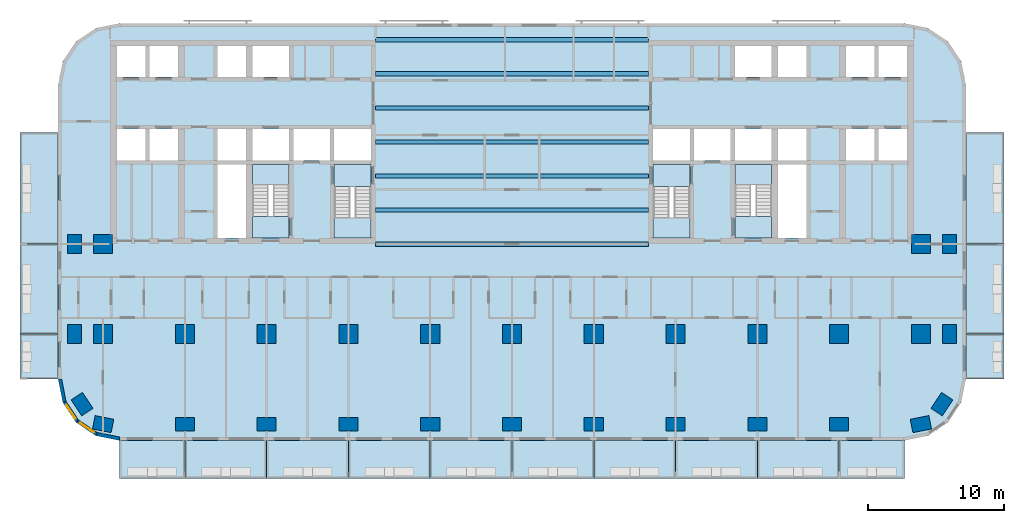
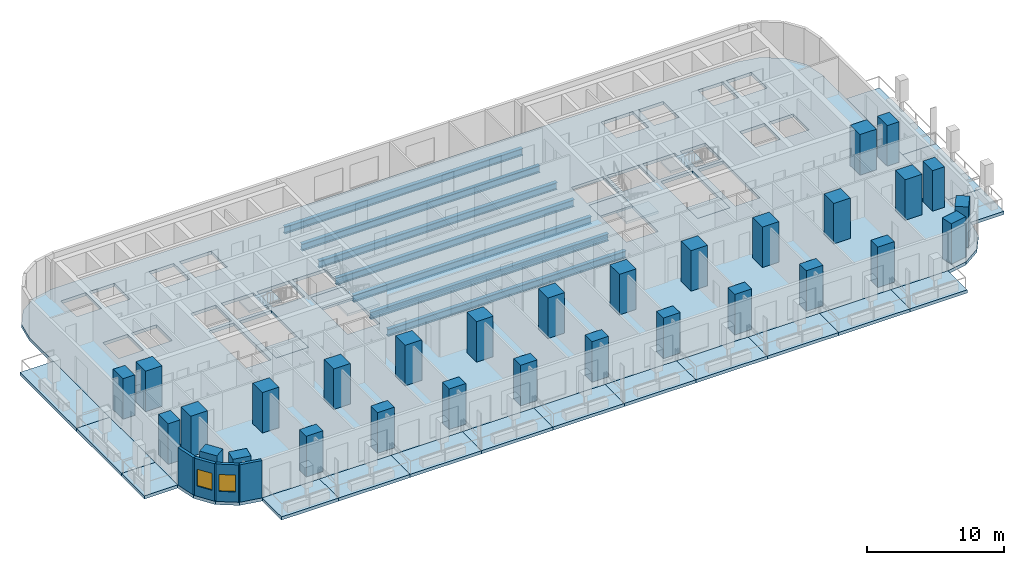
# One storey, part 1 of 15: 30 columns, 25 slabs, 7 beams, 4 walls, 2 windows, 2 openings, 4 elements without a shape of their own.
"""IFC4 building model written with IfcOpenShell, lengths in metres."""

from ifc_helpers import new_model, si_unit, direction, frame, frame_2d, origin, origin_2d, place, context, subcontext, project, spatial, polyline, rectangle, i_section, outline, extrude, material, layer, layer_set, material_profile, profile_set, type_object, element, fill, aggregate, save


model = new_model("IFC4")

# Units and contexts
model_context = context("Model", 3, precision=1e-05, world=origin(), true_north=direction((0.0, 1.0)))
body_context = subcontext(model_context, "Body", "Model", "MODEL_VIEW")
ifc_project = project(units=[si_unit("LENGTHUNIT", "METRE"), si_unit("AREAUNIT", "SQUARE_METRE"), si_unit("VOLUMEUNIT", "CUBIC_METRE"), si_unit("PLANEANGLEUNIT", "RADIAN"), si_unit("MASSUNIT", "GRAM", prefix="KILO")], contexts=[model_context])

# Site, building, storey
site_placement = place(None, origin())
site = spatial("IfcSite", under=ifc_project, at=site_placement, CompositionType="ELEMENT")
building_placement = place(site_placement, origin())
building = spatial("IfcBuilding", under=site, at=building_placement, Name="Torana Hotel and Residences", CompositionType="ELEMENT")
storey_placement = place(building_placement, frame((0.0, 0.0, 49.199951171875)))
storey = spatial("IfcBuildingStorey", under=building, at=storey_placement, Name="L11", CompositionType="ELEMENT", Elevation=49.199951171875)

# Columns
ifc_material_1 = material(Name="Concrete C70/85", Category="concrete")
ifc_material_profile_1 = material_profile(ifc_material_1, rectangle(XDim=1.39990234375, YDim=1.0, at=origin_2d()), Name="RC 1400x1000")
ifc_profile_set_1 = profile_set([ifc_material_profile_1], Name="Concrete C70/85")
column_type_1 = type_object("IfcColumnType", Name="COLUMN RC 1400x1000 C70/85", PredefinedType="COLUMN", material=ifc_profile_set_1)
for number, where, z_axis, x_axis, name in (
    (1, (-32.10009765625, -21.60009765625, 0.0), (0.0, 0.0, 1.0), (0.0, 1.0, 0.0), "Column L11"),
    (2, (-32.10009765625, -15.0, 0.0), (0.0, 0.0, 1.0), (0.0, 1.0, 0.0), "Column L11"),
    (3, (-31.5439453125, -26.73291015625, 0.0), (0.0, 0.0, 1.0), (-0.555584744817, 0.831459915646, 0.0), "Column L11"),
    (4, (-30.0, -28.199951171875, 0.0), (0.0, 0.0, 1.0), (-0.980792089743, 0.195056086032, 0.0), "Column L11"),
    (5, (-24.0, -28.199951171875, 0.0), (0.0, 0.0, 1.0), (1.0, 0.0, 0.0), "Column L11"),
    (6, (-18.0, -28.199951171875, 0.0), (0.0, 0.0, 1.0), (1.0, 0.0, 0.0), "Column L11"),
    (7, (-12.0, -28.199951171875, 0.0), (0.0, 0.0, 1.0), (1.0, 0.0, 0.0), "Column L11"),
    (8, (-6.0, -28.199951171875, 0.0), (0.0, 0.0, 1.0), (1.0, 0.0, 0.0), "Column L11"),
    (9, (0.0, -28.199951171875, 0.0), (0.0, 0.0, 1.0), (1.0, 0.0, 0.0), "Column L11"),
    (10, (6.0, -28.199951171875, 0.0), (0.0, 0.0, 1.0), (1.0, 0.0, 0.0), "Column L11"),
    (11, (12.0, -28.199951171875, 0.0), (0.0, 0.0, 1.0), (1.0, 0.0, 0.0), "Column L11"),
    (12, (18.0, -28.199951171875, 0.0), (0.0, 0.0, 1.0), (1.0, 0.0, 0.0), "Column L11"),
    (13, (24.0, -28.199951171875, 0.0), (0.0, 0.0, 1.0), (1.0, 0.0, 0.0), "Column L11"),
    (14, (30.0, -28.199951171875, 0.0), (0.0, 0.0, 1.0), (0.980792089743, 0.195056086032, 0.0), "Column L11"),
    (15, (31.5439453125, -26.73291015625, 0.0), (0.0, 0.0, 1.0), (0.555584744817, 0.831459915646, 0.0), "Column L11"),
    (16, (32.10009765625, -21.60009765625, 0.0), (0.0, 0.0, 1.0), (0.0, 1.0, 0.0), "Column L11"),
    (17, (32.10009765625, -15.0, 0.0), (0.0, 0.0, 1.0), (0.0, 1.0, 0.0), "Column L11"),
):
    element("IfcColumn", number, at=place(storey_placement, frame(where, z_axis=z_axis, x_axis=x_axis)), inside=storey, type_object=column_type_1, Name=name, PredefinedType="COLUMN", context=body_context, shape_type="SweptSolid", body=[
        extrude(rectangle(XDim=1.39990234375, YDim=1.0, at=origin_2d()), origin(), (0.0, 0.0, 1.0), 3.60009765625),
    ])
ifc_material_2 = material(Name="Concrete C70/85", Category="concrete")
ifc_material_profile_2 = material_profile(ifc_material_2, rectangle(XDim=1.39990234375, YDim=1.39990234375, at=origin_2d()), Name="RC 1400x1400")
ifc_profile_set_2 = profile_set([ifc_material_profile_2], Name="Concrete C70/85")
column_type_2 = type_object("IfcColumnType", Name="COLUMN RC 1400x1400 C70/85", PredefinedType="COLUMN", material=ifc_profile_set_2)
for number, where, z_axis, x_axis, name in (
    (18, (-30.0, -21.60009765625, 0.0), (0.0, 0.0, 1.0), (1.0, 0.0, 0.0), "Column L11"),
    (19, (-30.0, -15.0, 0.0), (0.0, 0.0, 1.0), (1.0, 0.0, 0.0), "Column L11"),
    (20, (-24.0, -21.60009765625, 0.0), (0.0, 0.0, 1.0), (1.0, 0.0, 0.0), "Column L11"),
    (21, (-18.0, -21.60009765625, 0.0), (0.0, 0.0, 1.0), (1.0, 0.0, 0.0), "Column L11"),
    (22, (-12.0, -21.60009765625, 0.0), (0.0, 0.0, 1.0), (1.0, 0.0, 0.0), "Column L11"),
    (23, (-6.0, -21.60009765625, 0.0), (0.0, 0.0, 1.0), (1.0, 0.0, 0.0), "Column L11"),
    (24, (0.0, -21.60009765625, 0.0), (0.0, 0.0, 1.0), (1.0, 0.0, 0.0), "Column L11"),
    (25, (6.0, -21.60009765625, 0.0), (0.0, 0.0, 1.0), (1.0, 0.0, 0.0), "Column L11"),
    (26, (12.0, -21.60009765625, 0.0), (0.0, 0.0, 1.0), (1.0, 0.0, 0.0), "Column L11"),
    (27, (18.0, -21.60009765625, 0.0), (0.0, 0.0, 1.0), (1.0, 0.0, 0.0), "Column L11"),
    (28, (24.0, -21.60009765625, 0.0), (0.0, 0.0, 1.0), (1.0, 0.0, 0.0), "Column L11"),
    (29, (30.0, -21.60009765625, 0.0), (0.0, 0.0, 1.0), (1.0, 0.0, 0.0), "Column L11"),
    (30, (30.0, -15.0, 0.0), (0.0, 0.0, 1.0), (1.0, 0.0, 0.0), "Column L11"),
):
    element("IfcColumn", number, at=place(storey_placement, frame(where, z_axis=z_axis, x_axis=x_axis)), inside=storey, type_object=column_type_2, Name=name, PredefinedType="COLUMN", context=body_context, shape_type="SweptSolid", body=[
        extrude(rectangle(XDim=1.39990234375, YDim=1.39990234375, at=origin_2d()), origin(), (0.0, 0.0, 1.0), 3.60009765625),
    ])

# Beams
ifc_material_3 = material(Name="Steel S355", Category="steel")
ifc_material_profile_3 = material_profile(ifc_material_3, i_section(OverallWidth=0.311279296875, OverallDepth=0.6357421875, WebThickness=0.018310546875, FlangeThickness=0.031494140625, FilletRadius=0.0166015625, at=origin_2d()), Name="610x305x238 UB")
ifc_profile_set_3 = profile_set([ifc_material_profile_3], Name="Steel S355")
beam_type = type_object("IfcBeamType", Name="STEEL GIRDER 610x305x238 UB", PredefinedType="BEAM", material=ifc_profile_set_3)
for number, where, z_axis, x_axis, name in (
    (31, (-10.0, -15.0, -0.597900390625), (1.0, 0.0, 0.0), (0.0, 1.0, 0.0), "Floor girder"),
    (32, (-10.0, -12.5, -0.597900390625), (1.0, 0.0, 0.0), (0.0, 1.0, 0.0), "Floor girder"),
    (33, (-10.0, -10.0, -0.597900390625), (1.0, 0.0, 0.0), (0.0, 1.0, 0.0), "Floor girder"),
    (34, (-10.0, -7.5, -0.597900390625), (1.0, 0.0, 0.0), (0.0, 1.0, 0.0), "Floor girder"),
    (35, (-10.0, -5.0, -0.597900390625), (1.0, 0.0, 0.0), (0.0, 1.0, 0.0), "Floor girder"),
    (36, (-10.0, -2.5, -0.597900390625), (1.0, 0.0, 0.0), (0.0, 1.0, 0.0), "Floor girder"),
    (37, (-10.0, 0.0, -0.597900390625), (1.0, 0.0, 0.0), (0.0, 1.0, 0.0), "Floor girder"),
):
    element("IfcBeam", number, at=place(storey_placement, frame(where, z_axis=z_axis, x_axis=x_axis)), inside=storey, type_object=beam_type, Name=name, PredefinedType="BEAM", context=body_context, shape_type="SweptSolid", body=[
        extrude(i_section(OverallWidth=0.311279296875, OverallDepth=0.6357421875, WebThickness=0.018310546875, FlangeThickness=0.031494140625, FilletRadius=0.0166015625, at=origin_2d()), origin(), (0.0, 0.0, 1.0), 20.0),
    ])

# Slabs
ifc_material_4 = material(Name="Concrete C40/50", Category="concrete")
ifc_layer_1 = layer(ifc_material_4, 0.280029296875)
ifc_layer_set_1 = layer_set([ifc_layer_1], Name="BAL1 BALCONY SLAB 280")
slab_type_1 = type_object("IfcSlabType", Name="BAL1 BALCONY SLAB 280", PredefinedType="USERDEFINED", material=ifc_layer_set_1)
slab_1_placement = place(storey_placement, frame((0.0, 0.0, -0.280029296875)))
element("IfcSlab", 38, at=slab_1_placement, inside=storey, type_object=slab_type_1, Name="Balcony 01", ObjectType="BALCONY", PredefinedType="USERDEFINED", context=body_context, shape_type="SweptSolid", body=[
    extrude(outline(polyline([(-28.800048828125, -32.199951171875), (-24.0, -32.199951171875), (-24.0, -29.39990234375), (-28.800048828125, -29.39990234375), (-28.800048828125, -32.199951171875)])), origin(), (0.0, 0.0, 1.0), 0.280029296875),
])
slab_2_placement = place(storey_placement, frame((0.0, 0.0, -0.280029296875)))
element("IfcSlab", 39, at=slab_2_placement, inside=storey, type_object=slab_type_1, Name="Balcony 02", ObjectType="BALCONY", PredefinedType="USERDEFINED", context=body_context, shape_type="SweptSolid", body=[
    extrude(outline(polyline([(-24.0, -32.199951171875), (-18.0, -32.199951171875), (-18.0, -29.39990234375), (-24.0, -29.39990234375), (-24.0, -32.199951171875)])), origin(), (0.0, 0.0, 1.0), 0.280029296875),
])
slab_3_placement = place(storey_placement, frame((0.0, 0.0, -0.280029296875)))
element("IfcSlab", 40, at=slab_3_placement, inside=storey, type_object=slab_type_1, Name="Balcony 03", ObjectType="BALCONY", PredefinedType="USERDEFINED", context=body_context, shape_type="SweptSolid", body=[
    extrude(outline(polyline([(-18.0, -32.199951171875), (-12.0, -32.199951171875), (-12.0, -29.39990234375), (-18.0, -29.39990234375), (-18.0, -32.199951171875)])), origin(), (0.0, 0.0, 1.0), 0.280029296875),
])
slab_4_placement = place(storey_placement, frame((0.0, 0.0, -0.280029296875)))
element("IfcSlab", 41, at=slab_4_placement, inside=storey, type_object=slab_type_1, Name="Balcony 04", ObjectType="BALCONY", PredefinedType="USERDEFINED", context=body_context, shape_type="SweptSolid", body=[
    extrude(outline(polyline([(-12.0, -32.199951171875), (-6.0, -32.199951171875), (-6.0, -29.39990234375), (-12.0, -29.39990234375), (-12.0, -32.199951171875)])), origin(), (0.0, 0.0, 1.0), 0.280029296875),
])
slab_5_placement = place(storey_placement, frame((0.0, 0.0, -0.280029296875)))
element("IfcSlab", 42, at=slab_5_placement, inside=storey, type_object=slab_type_1, Name="Balcony 05", ObjectType="BALCONY", PredefinedType="USERDEFINED", context=body_context, shape_type="SweptSolid", body=[
    extrude(outline(polyline([(-6.0, -32.199951171875), (0.0, -32.199951171875), (0.0, -29.39990234375), (-6.0, -29.39990234375), (-6.0, -32.199951171875)])), origin(), (0.0, 0.0, 1.0), 0.280029296875),
])
slab_6_placement = place(storey_placement, frame((0.0, 0.0, -0.280029296875)))
element("IfcSlab", 43, at=slab_6_placement, inside=storey, type_object=slab_type_1, Name="Balcony 06", ObjectType="BALCONY", PredefinedType="USERDEFINED", context=body_context, shape_type="SweptSolid", body=[
    extrude(outline(polyline([(0.0, -32.199951171875), (6.0, -32.199951171875), (6.0, -29.39990234375), (0.0, -29.39990234375), (0.0, -32.199951171875)])), origin(), (0.0, 0.0, 1.0), 0.280029296875),
])
slab_7_placement = place(storey_placement, frame((0.0, 0.0, -0.280029296875)))
element("IfcSlab", 44, at=slab_7_placement, inside=storey, type_object=slab_type_1, Name="Balcony 07", ObjectType="BALCONY", PredefinedType="USERDEFINED", context=body_context, shape_type="SweptSolid", body=[
    extrude(outline(polyline([(6.0, -32.199951171875), (12.0, -32.199951171875), (12.0, -29.39990234375), (6.0, -29.39990234375), (6.0, -32.199951171875)])), origin(), (0.0, 0.0, 1.0), 0.280029296875),
])
slab_8_placement = place(storey_placement, frame((0.0, 0.0, -0.280029296875)))
element("IfcSlab", 45, at=slab_8_placement, inside=storey, type_object=slab_type_1, Name="Balcony 08", ObjectType="BALCONY", PredefinedType="USERDEFINED", context=body_context, shape_type="SweptSolid", body=[
    extrude(outline(polyline([(12.0, -32.199951171875), (18.0, -32.199951171875), (18.0, -29.39990234375), (12.0, -29.39990234375), (12.0, -32.199951171875)])), origin(), (0.0, 0.0, 1.0), 0.280029296875),
])
slab_9_placement = place(storey_placement, frame((0.0, 0.0, -0.280029296875)))
element("IfcSlab", 46, at=slab_9_placement, inside=storey, type_object=slab_type_1, Name="Balcony 09", ObjectType="BALCONY", PredefinedType="USERDEFINED", context=body_context, shape_type="SweptSolid", body=[
    extrude(outline(polyline([(18.0, -32.199951171875), (24.0, -32.199951171875), (24.0, -29.39990234375), (18.0, -29.39990234375), (18.0, -32.199951171875)])), origin(), (0.0, 0.0, 1.0), 0.280029296875),
])
slab_10_placement = place(storey_placement, frame((0.0, 0.0, -0.280029296875)))
element("IfcSlab", 47, at=slab_10_placement, inside=storey, type_object=slab_type_1, Name="Balcony 10", ObjectType="BALCONY", PredefinedType="USERDEFINED", context=body_context, shape_type="SweptSolid", body=[
    extrude(outline(polyline([(24.0, -32.199951171875), (28.800048828125, -32.199951171875), (28.800048828125, -29.39990234375), (24.0, -29.39990234375), (24.0, -32.199951171875)])), origin(), (0.0, 0.0, 1.0), 0.280029296875),
])
slab_11_placement = place(storey_placement, frame((0.0, 0.0, -0.280029296875)))
element("IfcSlab", 48, at=slab_11_placement, inside=storey, type_object=slab_type_1, Name="Balcony 11", ObjectType="BALCONY", PredefinedType="USERDEFINED", context=body_context, shape_type="SweptSolid", body=[
    extrude(outline(polyline([(-36.10009765625, -24.89990234375), (-33.300048828125, -24.89990234375), (-33.300048828125, -21.60009765625), (-36.10009765625, -21.60009765625), (-36.10009765625, -24.89990234375)])), origin(), (0.0, 0.0, 1.0), 0.280029296875),
])
slab_12_placement = place(storey_placement, frame((0.0, 0.0, -0.280029296875)))
element("IfcSlab", 49, at=slab_12_placement, inside=storey, type_object=slab_type_1, Name="Balcony 12", ObjectType="BALCONY", PredefinedType="USERDEFINED", context=body_context, shape_type="SweptSolid", body=[
    extrude(outline(polyline([(-36.10009765625, -21.60009765625), (-33.300048828125, -21.60009765625), (-33.300048828125, -15.0), (-36.10009765625, -15.0), (-36.10009765625, -21.60009765625)])), origin(), (0.0, 0.0, 1.0), 0.280029296875),
])
slab_13_placement = place(storey_placement, frame((0.0, 0.0, -0.280029296875)))
element("IfcSlab", 50, at=slab_13_placement, inside=storey, type_object=slab_type_1, Name="Balcony 13", ObjectType="BALCONY", PredefinedType="USERDEFINED", context=body_context, shape_type="SweptSolid", body=[
    extrude(outline(polyline([(-36.10009765625, -15.0), (-33.300048828125, -15.0), (-33.300048828125, -6.800048828125), (-36.10009765625, -6.800048828125), (-36.10009765625, -15.0)])), origin(), (0.0, 0.0, 1.0), 0.280029296875),
])
slab_14_placement = place(storey_placement, frame((0.0, 0.0, -0.280029296875)))
element("IfcSlab", 51, at=slab_14_placement, inside=storey, type_object=slab_type_1, Name="Balcony 14", ObjectType="BALCONY", PredefinedType="USERDEFINED", context=body_context, shape_type="SweptSolid", body=[
    extrude(outline(polyline([(33.300048828125, -24.89990234375), (36.10009765625, -24.89990234375), (36.10009765625, -21.60009765625), (33.300048828125, -21.60009765625), (33.300048828125, -24.89990234375)])), origin(), (0.0, 0.0, 1.0), 0.280029296875),
])
slab_15_placement = place(storey_placement, frame((0.0, 0.0, -0.280029296875)))
element("IfcSlab", 52, at=slab_15_placement, inside=storey, type_object=slab_type_1, Name="Balcony 15", ObjectType="BALCONY", PredefinedType="USERDEFINED", context=body_context, shape_type="SweptSolid", body=[
    extrude(outline(polyline([(33.300048828125, -21.60009765625), (36.10009765625, -21.60009765625), (36.10009765625, -15.0), (33.300048828125, -15.0), (33.300048828125, -21.60009765625)])), origin(), (0.0, 0.0, 1.0), 0.280029296875),
])
slab_16_placement = place(storey_placement, frame((0.0, 0.0, -0.280029296875)))
element("IfcSlab", 53, at=slab_16_placement, inside=storey, type_object=slab_type_1, Name="Balcony 16", ObjectType="BALCONY", PredefinedType="USERDEFINED", context=body_context, shape_type="SweptSolid", body=[
    extrude(outline(polyline([(33.300048828125, -15.0), (36.10009765625, -15.0), (36.10009765625, -6.800048828125), (33.300048828125, -6.800048828125), (33.300048828125, -15.0)])), origin(), (0.0, 0.0, 1.0), 0.280029296875),
])
ifc_material_5 = material(Name="Concrete C40/50", Category="concrete")
ifc_layer_2 = layer(ifc_material_5, 0.280029296875)
ifc_layer_set_2 = layer_set([ifc_layer_2], Name="FLOOR SLAB PT 280")
slab_type_2 = type_object("IfcSlabType", Name="FLOOR SLAB PT 280", PredefinedType="FLOOR", material=ifc_layer_set_2)
slab_17_placement = place(storey_placement, frame((0.0, 0.0, -0.280029296875)))
element("IfcSlab", 54, at=slab_17_placement, inside=storey, type_object=slab_type_2, Name="Floor slab", PredefinedType="FLOOR", context=body_context, shape_type="SweptSolid", body=[
    extrude(outline(polyline([(33.300048828125, -3.300048828125), (32.95751953125, -1.577880859375), (31.98193359375, -0.117919921875), (30.522216796875, 0.857421875), (28.800048828125, 1.199951171875), (-28.800048828125, 1.199951171875), (-30.522216796875, 0.857421875), (-31.98193359375, -0.117919921875), (-32.95751953125, -1.577880859375), (-33.300048828125, -3.300048828125), (-33.300048828125, -24.89990234375), (-32.95751953125, -26.6220703125), (-31.98193359375, -28.08203125), (-30.522216796875, -29.0576171875), (-28.800048828125, -29.39990234375), (28.800048828125, -29.39990234375), (30.522216796875, -29.0576171875), (31.98193359375, -28.08203125), (32.95751953125, -26.6220703125), (33.300048828125, -24.89990234375), (33.300048828125, -3.300048828125)]), holes=[polyline([(-13.050048828125, -14.550048828125), (-10.35009765625, -14.550048828125), (-10.35009765625, -9.14990234375), (-13.050048828125, -9.14990234375), (-13.050048828125, -14.550048828125)]), polyline([(-19.050048828125, -14.550048828125), (-16.35009765625, -14.550048828125), (-16.35009765625, -9.14990234375), (-19.050048828125, -9.14990234375), (-19.050048828125, -14.550048828125)]), polyline([(-19.050048828125, -2.75), (-16.35009765625, -2.75), (-16.35009765625, -0.449951171875), (-19.050048828125, -0.449951171875), (-19.050048828125, -2.75)]), polyline([(-26.60009765625, -2.75), (-24.5, -2.75), (-24.5, -0.449951171875), (-26.60009765625, -0.449951171875), (-26.60009765625, -2.75)]), polyline([(-29.0, -2.75), (-26.89990234375, -2.75), (-26.89990234375, -0.449951171875), (-29.0, -0.449951171875), (-29.0, -2.75)]), polyline([(-26.60009765625, -8.85009765625), (-24.5, -8.85009765625), (-24.5, -6.550048828125), (-26.60009765625, -6.550048828125), (-26.60009765625, -8.85009765625)]), polyline([(-29.0, -8.85009765625), (-26.89990234375, -8.85009765625), (-26.89990234375, -6.550048828125), (-29.0, -6.550048828125), (-29.0, -8.85009765625)]), polyline([(-21.60009765625, -2.75), (-19.5, -2.75), (-19.5, -0.449951171875), (-21.60009765625, -0.449951171875), (-21.60009765625, -2.75)]), polyline([(-21.60009765625, -8.85009765625), (-19.5, -8.85009765625), (-19.5, -6.550048828125), (-21.60009765625, -6.550048828125), (-21.60009765625, -8.85009765625)]), polyline([(-13.050048828125, -8.85009765625), (-10.35009765625, -8.85009765625), (-10.35009765625, -6.550048828125), (-13.050048828125, -6.550048828125), (-13.050048828125, -8.85009765625)]), polyline([(-16.050048828125, -8.85009765625), (-13.35009765625, -8.85009765625), (-13.35009765625, -6.550048828125), (-16.050048828125, -6.550048828125), (-16.050048828125, -8.85009765625)]), polyline([(-19.050048828125, -8.85009765625), (-16.35009765625, -8.85009765625), (-16.35009765625, -6.550048828125), (-19.050048828125, -6.550048828125), (-19.050048828125, -8.85009765625)]), polyline([(-21.60009765625, -14.550048828125), (-19.5, -14.550048828125), (-19.5, -9.14990234375), (-21.60009765625, -9.14990234375), (-21.60009765625, -14.550048828125)]), polyline([(10.35009765625, -14.550048828125), (13.050048828125, -14.550048828125), (13.050048828125, -9.14990234375), (10.35009765625, -9.14990234375), (10.35009765625, -14.550048828125)]), polyline([(16.35009765625, -14.550048828125), (19.050048828125, -14.550048828125), (19.050048828125, -9.14990234375), (16.35009765625, -9.14990234375), (16.35009765625, -14.550048828125)]), polyline([(16.35009765625, -2.75), (19.050048828125, -2.75), (19.050048828125, -0.449951171875), (16.35009765625, -0.449951171875), (16.35009765625, -2.75)]), polyline([(24.5, -2.75), (26.60009765625, -2.75), (26.60009765625, -0.449951171875), (24.5, -0.449951171875), (24.5, -2.75)]), polyline([(26.89990234375, -2.75), (29.0, -2.75), (29.0, -0.449951171875), (26.89990234375, -0.449951171875), (26.89990234375, -2.75)]), polyline([(24.5, -8.85009765625), (26.60009765625, -8.85009765625), (26.60009765625, -6.550048828125), (24.5, -6.550048828125), (24.5, -8.85009765625)]), polyline([(26.89990234375, -8.85009765625), (29.0, -8.85009765625), (29.0, -6.550048828125), (26.89990234375, -6.550048828125), (26.89990234375, -8.85009765625)]), polyline([(19.5, -2.75), (21.60009765625, -2.75), (21.60009765625, -0.449951171875), (19.5, -0.449951171875), (19.5, -2.75)]), polyline([(19.5, -8.85009765625), (21.60009765625, -8.85009765625), (21.60009765625, -6.550048828125), (19.5, -6.550048828125), (19.5, -8.85009765625)]), polyline([(10.35009765625, -8.85009765625), (13.050048828125, -8.85009765625), (13.050048828125, -6.550048828125), (10.35009765625, -6.550048828125), (10.35009765625, -8.85009765625)]), polyline([(13.35009765625, -8.85009765625), (16.050048828125, -8.85009765625), (16.050048828125, -6.550048828125), (13.35009765625, -6.550048828125), (13.35009765625, -8.85009765625)]), polyline([(16.35009765625, -8.85009765625), (19.050048828125, -8.85009765625), (19.050048828125, -6.550048828125), (16.35009765625, -6.550048828125), (16.35009765625, -8.85009765625)]), polyline([(19.5, -14.550048828125), (21.60009765625, -14.550048828125), (21.60009765625, -9.14990234375), (19.5, -9.14990234375), (19.5, -14.550048828125)])]), origin(), (0.0, 0.0, 1.0), 0.280029296875),
])

# Stair, slabs
ifc_material_6 = material(Name="Concrete C40/50 precast", Category="concrete")
stair_type_1 = type_object("IfcStairType", Name="STAIR ST1 HALF TURN 1200", PredefinedType="HALF_TURN_STAIR", material=ifc_material_6)
stair_1_placement = place(storey_placement, origin())
stair_1 = element("IfcStair", 55, at=stair_1_placement, inside=storey, type_object=stair_type_1, Name="Stair ST1 L11", PredefinedType="HALF_TURN_STAIR")
ifc_material_7 = material(Name="Concrete C40/50 precast", Category="concrete")
ifc_layer_3 = layer(ifc_material_7, 0.199951171875)
ifc_layer_set_3 = layer_set([ifc_layer_3], Name="STAIR LANDING 200")
slab_type_3 = type_object("IfcSlabType", Name="STAIR LANDING 200", PredefinedType="LANDING", material=ifc_layer_set_3)
slab_18_placement = place(storey_placement, frame((0.0, 0.0, 1.60009765625)))
slab_18 = element("IfcSlab", 56, at=slab_18_placement, type_object=slab_type_3, Name="ST1 landing 1", PredefinedType="LANDING", context=body_context, shape_type="SweptSolid", body=[
    extrude(outline(polyline([(-13.050048828125, -14.550048828125), (-10.35009765625, -14.550048828125), (-10.35009765625, -13.090087890625), (-13.050048828125, -13.090087890625), (-13.050048828125, -14.550048828125)])), origin(), (0.0, 0.0, 1.0), 0.199951171875),
])
slab_19_placement = place(storey_placement, frame((0.0, 0.0, -0.199951171875)))
slab_19 = element("IfcSlab", 57, at=slab_19_placement, type_object=slab_type_3, Name="ST1 landing 2", PredefinedType="LANDING", context=body_context, shape_type="SweptSolid", body=[
    extrude(outline(polyline([(-13.050048828125, -10.75), (-10.35009765625, -10.75), (-10.35009765625, -9.14990234375), (-13.050048828125, -9.14990234375), (-13.050048828125, -10.75)])), origin(), (0.0, 0.0, 1.0), 0.199951171875),
])
aggregate(stair_1, [slab_18, slab_19])

ifc_material_8 = material(Name="Concrete C40/50 precast", Category="concrete")
stair_type_2 = type_object("IfcStairType", Name="STAIR ST2 HALF TURN 1200", PredefinedType="HALF_TURN_STAIR", material=ifc_material_8)
stair_2_placement = place(storey_placement, origin())
stair_2 = element("IfcStair", 58, at=stair_2_placement, inside=storey, type_object=stair_type_2, Name="Stair ST2 L11", PredefinedType="HALF_TURN_STAIR")
slab_20_placement = place(storey_placement, frame((0.0, 0.0, 1.60009765625)))
slab_20 = element("IfcSlab", 59, at=slab_20_placement, type_object=slab_type_3, Name="ST2 landing 1", PredefinedType="LANDING", context=body_context, shape_type="SweptSolid", body=[
    extrude(outline(polyline([(-19.050048828125, -10.610107421875), (-16.35009765625, -10.610107421875), (-16.35009765625, -9.14990234375), (-19.050048828125, -9.14990234375), (-19.050048828125, -10.610107421875)])), origin(), (0.0, 0.0, 1.0), 0.199951171875),
])
slab_21_placement = place(storey_placement, frame((0.0, 0.0, -0.199951171875)))
slab_21 = element("IfcSlab", 60, at=slab_21_placement, type_object=slab_type_3, Name="ST2 landing 2", PredefinedType="LANDING", context=body_context, shape_type="SweptSolid", body=[
    extrude(outline(polyline([(-19.050048828125, -14.550048828125), (-16.35009765625, -14.550048828125), (-16.35009765625, -12.949951171875), (-19.050048828125, -12.949951171875), (-19.050048828125, -14.550048828125)])), origin(), (0.0, 0.0, 1.0), 0.199951171875),
])
aggregate(stair_2, [slab_20, slab_21])

ifc_material_9 = material(Name="Concrete C40/50 precast", Category="concrete")
stair_type_3 = type_object("IfcStairType", Name="STAIR ST3 HALF TURN 1200", PredefinedType="HALF_TURN_STAIR", material=ifc_material_9)
stair_3_placement = place(storey_placement, origin())
stair_3 = element("IfcStair", 61, at=stair_3_placement, inside=storey, type_object=stair_type_3, Name="Stair ST3 L11", PredefinedType="HALF_TURN_STAIR")
slab_22_placement = place(storey_placement, frame((0.0, 0.0, 1.60009765625)))
slab_22 = element("IfcSlab", 62, at=slab_22_placement, type_object=slab_type_3, Name="ST3 landing 1", PredefinedType="LANDING", context=body_context, shape_type="SweptSolid", body=[
    extrude(outline(polyline([(10.35009765625, -14.550048828125), (13.050048828125, -14.550048828125), (13.050048828125, -13.090087890625), (10.35009765625, -13.090087890625), (10.35009765625, -14.550048828125)])), origin(), (0.0, 0.0, 1.0), 0.199951171875),
])
slab_23_placement = place(storey_placement, frame((0.0, 0.0, -0.199951171875)))
slab_23 = element("IfcSlab", 63, at=slab_23_placement, type_object=slab_type_3, Name="ST3 landing 2", PredefinedType="LANDING", context=body_context, shape_type="SweptSolid", body=[
    extrude(outline(polyline([(10.35009765625, -10.75), (13.050048828125, -10.75), (13.050048828125, -9.14990234375), (10.35009765625, -9.14990234375), (10.35009765625, -10.75)])), origin(), (0.0, 0.0, 1.0), 0.199951171875),
])
aggregate(stair_3, [slab_22, slab_23])

ifc_material_10 = material(Name="Concrete C40/50 precast", Category="concrete")
stair_type_4 = type_object("IfcStairType", Name="STAIR ST4 HALF TURN 1200", PredefinedType="HALF_TURN_STAIR", material=ifc_material_10)
stair_4_placement = place(storey_placement, origin())
stair_4 = element("IfcStair", 64, at=stair_4_placement, inside=storey, type_object=stair_type_4, Name="Stair ST4 L11", PredefinedType="HALF_TURN_STAIR")
slab_24_placement = place(storey_placement, frame((0.0, 0.0, 1.60009765625)))
slab_24 = element("IfcSlab", 65, at=slab_24_placement, type_object=slab_type_3, Name="ST4 landing 1", PredefinedType="LANDING", context=body_context, shape_type="SweptSolid", body=[
    extrude(outline(polyline([(16.35009765625, -10.610107421875), (19.050048828125, -10.610107421875), (19.050048828125, -9.14990234375), (16.35009765625, -9.14990234375), (16.35009765625, -10.610107421875)])), origin(), (0.0, 0.0, 1.0), 0.199951171875),
])
slab_25_placement = place(storey_placement, frame((0.0, 0.0, -0.199951171875)))
slab_25 = element("IfcSlab", 66, at=slab_25_placement, type_object=slab_type_3, Name="ST4 landing 2", PredefinedType="LANDING", context=body_context, shape_type="SweptSolid", body=[
    extrude(outline(polyline([(16.35009765625, -14.550048828125), (19.050048828125, -14.550048828125), (19.050048828125, -12.949951171875), (16.35009765625, -12.949951171875), (16.35009765625, -14.550048828125)])), origin(), (0.0, 0.0, 1.0), 0.199951171875),
])
aggregate(stair_4, [slab_24, slab_25])

# Wall
ifc_material_11 = material(Name="Black aluminium composite panel", Category="aluminium")
ifc_layer_4 = layer(ifc_material_11, 0.00390625, Name="Cladding", Category="cladding")
ifc_material_12 = material(Name="Ventilated air cavity")
ifc_layer_5 = layer(ifc_material_12, 0.0400390625, Name="Ventilated cavity", Category="cavity")
ifc_material_13 = material(Name="Mineral wool insulation")
ifc_layer_6 = layer(ifc_material_13, 0.090087890625, Name="Insulation", Category="insulation")
ifc_material_14 = material(Name="Steel S280GD", Category="steel")
ifc_layer_7 = layer(ifc_material_14, 0.092041015625, Name="Steel stud frame", Category="structure")
ifc_material_15 = material(Name="Fire rated plasterboard")
ifc_layer_8 = layer(ifc_material_15, 0.011962890625, Name="Inner board", Category="finish")
ifc_layer_9 = layer(ifc_material_15, 0.011962890625, Name="Second board", Category="finish")
ifc_layer_set_4 = layer_set([ifc_layer_4, ifc_layer_5, ifc_layer_6, ifc_layer_7, ifc_layer_8, ifc_layer_9], Name="EW1 EXTERNAL WALL BLACK METAL CLAD 250")
wall_type = type_object("IfcWallType", Name="EW1 EXTERNAL WALL BLACK METAL CLAD 250", PredefinedType="SOLIDWALL", material=ifc_layer_set_4)
wall_1_placement = place(storey_placement, frame((-33.172607421875, -24.89990234375, 0.0), z_axis=(0.0, 0.0, 1.0), x_axis=(0.195166572128, -0.980770110232, 0.0)))
element("IfcWall", 67, at=wall_1_placement, inside=storey, type_object=wall_type, Name="External wall L11 e0.10", PredefinedType="SOLIDWALL", context=body_context, shape_type="SweptSolid", body=[
    extrude(rectangle(XDim=1.68115234375, YDim=0.25, at=frame_2d((0.840576171875, 0.0))), origin(), (0.0, 0.0, 1.0), 3.320068359375),
])

# Wall, opening, window
wall_2_placement = place(storey_placement, frame((-32.825927734375, -26.593994140625, 0.0), z_axis=(0.0, 0.0, 1.0), x_axis=(0.55555029066, -0.831482937015, 0.0)))
wall_2 = element("IfcWall", 68, at=wall_2_placement, inside=storey, type_object=wall_type, Name="External wall L11 e0.11", PredefinedType="SOLIDWALL", context=body_context, shape_type="SweptSolid", body=[
    extrude(rectangle(XDim=1.65625, YDim=0.25, at=frame_2d((0.828125, 0.0))), origin(), (0.0, 0.0, 1.0), 3.320068359375),
])
opening_1_placement = place(wall_2_placement, frame((0.228271484375, 0.0, 0.89990234375)))
opening_1 = element("IfcOpeningElement", 69, at=opening_1_placement, cuts=wall_2, Name="Opening W5", PredefinedType="OPENING", context=body_context, shape_type="SweptSolid", body=[
    extrude(rectangle(XDim=1.199951171875, YDim=1.5, at=frame_2d((0.60009765625, 0.75))), frame((0.0, 0.135009765625, 0.0), z_axis=(0.0, -1.0, 0.0), x_axis=(1.0, 0.0, 0.0)), (0.0, 0.0, 1.0), 0.27001953125),
])
ifc_material_16 = material(Name="Dark glass in black aluminium frame", Category="aluminium")
window_type = type_object("IfcWindowType", Name="W5 CORNER FACET WINDOW 1200x1500", PartitioningType="SINGLE_PANEL", PredefinedType="WINDOW", material=ifc_material_16)
window_1_placement = place(opening_1_placement, origin())
window_1 = element("IfcWindow", 70, at=window_1_placement, inside=storey, type_object=window_type, Name="Window L11 e0.11", OverallHeight=1.5, OverallWidth=1.199951171875, PartitioningType="SINGLE_PANEL", PredefinedType="WINDOW", context=body_context, shape_type="SweptSolid", body=[
    extrude(rectangle(XDim=1.199951171875, YDim=1.5, at=frame_2d((0.60009765625, 0.75))), frame((0.0, 0.030029296875, 0.0), z_axis=(0.0, -1.0, 0.0), x_axis=(1.0, 0.0, 0.0)), (0.0, 0.0, 1.0), 0.06005859375),
])
fill(opening_1, window_1)

wall_3_placement = place(storey_placement, frame((-31.87109375, -28.005615234375, 0.0), z_axis=(0.0, 0.0, 1.0), x_axis=(0.831482937015, -0.55555029066, 0.0)))
wall_3 = element("IfcWall", 71, at=wall_3_placement, inside=storey, type_object=wall_type, Name="External wall L11 e0.12", PredefinedType="SOLIDWALL", context=body_context, shape_type="SweptSolid", body=[
    extrude(rectangle(XDim=1.65625, YDim=0.25, at=frame_2d((0.828125, 0.0))), origin(), (0.0, 0.0, 1.0), 3.320068359375),
])
opening_2_placement = place(wall_3_placement, frame((0.228271484375, 0.0, 0.89990234375)))
opening_2 = element("IfcOpeningElement", 72, at=opening_2_placement, cuts=wall_3, Name="Opening W5", PredefinedType="OPENING", context=body_context, shape_type="SweptSolid", body=[
    extrude(rectangle(XDim=1.199951171875, YDim=1.5, at=frame_2d((0.60009765625, 0.75))), frame((0.0, 0.135009765625, 0.0), z_axis=(0.0, -1.0, 0.0), x_axis=(1.0, 0.0, 0.0)), (0.0, 0.0, 1.0), 0.27001953125),
])
window_2_placement = place(opening_2_placement, origin())
window_2 = element("IfcWindow", 73, at=window_2_placement, inside=storey, type_object=window_type, Name="Window L11 e0.12", OverallHeight=1.5, OverallWidth=1.199951171875, PartitioningType="SINGLE_PANEL", PredefinedType="WINDOW", context=body_context, shape_type="SweptSolid", body=[
    extrude(rectangle(XDim=1.199951171875, YDim=1.5, at=frame_2d((0.60009765625, 0.75))), frame((0.0, 0.030029296875, 0.0), z_axis=(0.0, -1.0, 0.0), x_axis=(1.0, 0.0, 0.0)), (0.0, 0.0, 1.0), 0.06005859375),
])
fill(opening_2, window_2)

# Wall
wall_4_placement = place(storey_placement, frame((-30.448974609375, -28.944580078125, 0.0), z_axis=(0.0, 0.0, 1.0), x_axis=(0.980775640221, -0.19513878023, 0.0)))
element("IfcWall", 74, at=wall_4_placement, inside=storey, type_object=wall_type, Name="External wall L11 e0.13", PredefinedType="SOLIDWALL", context=body_context, shape_type="SweptSolid", body=[
    extrude(rectangle(XDim=1.681396484375, YDim=0.25, at=frame_2d((0.8408203125, 0.0))), origin(), (0.0, 0.0, 1.0), 3.320068359375),
])

save(model, "model.ifc")
